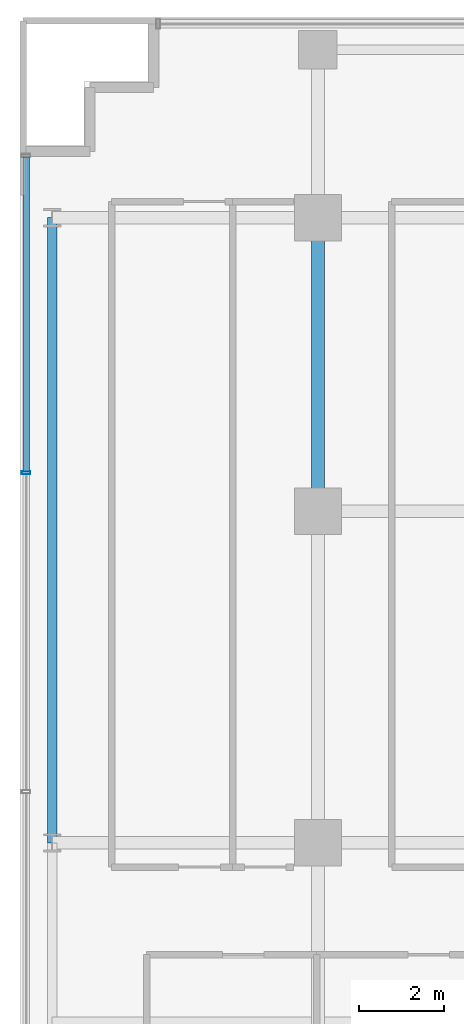
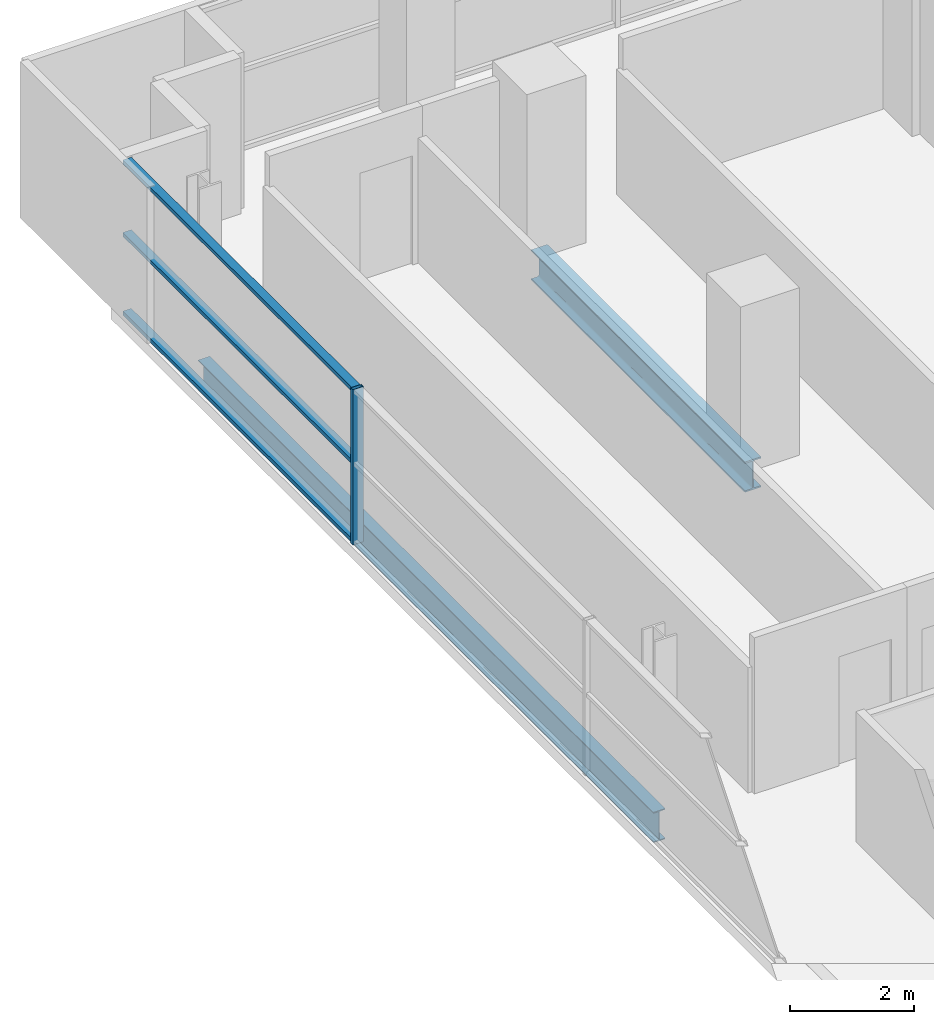
# One storey, part 9 of 26: 4 members, 2 beams, 1 element without a shape of its own.
"""IFC4 building model written with IfcOpenShell, lengths in metres."""

from ifc_helpers import new_model, si_unit, direction, frame, origin, origin_2d, place, context, subcontext, project, spatial, hollow_rectangle, i_section, extrude, source, transform, mapped, material, layer, layer_set, material_profile, profile_set, type_object, element, aggregate, save


model = new_model("IFC4")

# Units and contexts
model_context = context("Model", 3, precision=1e-05, world=origin(), true_north=direction((0.0, 1.0)))
body_context = subcontext(model_context, "Body", "Model", "MODEL_VIEW")
ifc_project = project(units=[si_unit("LENGTHUNIT", "METRE"), si_unit("AREAUNIT", "SQUARE_METRE"), si_unit("VOLUMEUNIT", "CUBIC_METRE"), si_unit("PLANEANGLEUNIT", "RADIAN"), si_unit("MASSUNIT", "GRAM", prefix="KILO")], contexts=[model_context])

# Site, building, storey
site_placement = place(None, origin())
site = spatial("IfcSite", under=ifc_project, at=site_placement, CompositionType="ELEMENT")
building_placement = place(site_placement, origin())
building = spatial("IfcBuilding", under=site, at=building_placement, Name="Zarnakvel Exchange Tower", CompositionType="ELEMENT")
storey_placement = place(building_placement, frame((0.0, 0.0, 63.699951171875)))
storey = spatial("IfcBuildingStorey", under=building, at=storey_placement, Name="L17", CompositionType="ELEMENT", Elevation=63.699951171875)

# Beams
ifc_material_1 = material(Name="Steel S355", Category="steel")
ifc_material_profile_1 = material_profile(ifc_material_1, i_section(OverallWidth=0.300048828125, OverallDepth=0.60009765625, WebThickness=0.015380859375, FlangeThickness=0.030029296875, FilletRadius=0.027099609375, at=origin_2d()))
ifc_profile_set_1 = profile_set([ifc_material_profile_1], Name="Steel S355")
beam_type_1 = type_object("IfcBeamType", Name="G-04", PredefinedType="BEAM", material=ifc_profile_set_1)
beam_1_placement = place(storey_placement, frame((-21.60009765625, 6.60009765625, -0.52490234375), z_axis=(0.0, 1.0, 0.0), x_axis=(-1.0, 0.0, 0.0)))
element("IfcBeam", 1, at=beam_1_placement, inside=storey, type_object=beam_type_1, Name="L17 Tower N-S Frame Beam", PredefinedType="BEAM", context=body_context, shape_type="SweptSolid", body=[
    extrude(i_section(OverallWidth=0.300048828125, OverallDepth=0.60009765625, WebThickness=0.015380859375, FlangeThickness=0.030029296875, FilletRadius=0.027099609375, at=origin_2d()), origin(), (0.0, 0.0, 1.0), 6.89990234375),
])
ifc_material_profile_2 = material_profile(ifc_material_1, i_section(OverallWidth=0.219970703125, OverallDepth=0.60009765625, WebThickness=0.011962890625, FlangeThickness=0.01904296875, FilletRadius=0.02392578125, at=origin_2d()))
ifc_profile_set_2 = profile_set([ifc_material_profile_2], Name="Steel S355")
beam_type_2 = type_object("IfcBeamType", Name="SP-01", PredefinedType="SPANDREL", material=ifc_profile_set_2)
beam_2_placement = place(storey_placement, frame((-27.85009765625, -1.199951171875, -0.52490234375), z_axis=(0.0, 1.0, 0.0), x_axis=(-1.0, 0.0, 0.0)))
element("IfcBeam", 2, at=beam_2_placement, inside=storey, type_object=beam_type_2, Name="L17 Tower N-S Frame Beam", PredefinedType="SPANDREL", context=body_context, shape_type="SweptSolid", body=[
    extrude(i_section(OverallWidth=0.219970703125, OverallDepth=0.60009765625, WebThickness=0.011962890625, FlangeThickness=0.01904296875, FilletRadius=0.02392578125, at=origin_2d()), origin(), (0.0, 0.0, 1.0), 14.699951171875),
])

# Curtain wall, members
ifc_material_2 = material(Name="Architectural Bronze Anodised Aluminium", Category="aluminium")
ifc_layer = layer(ifc_material_2, 0.199951171875)
ifc_layer_set = layer_set([ifc_layer], Name="Architectural Bronze Anodised Aluminium")
curtain_wall_type = type_object("IfcCurtainWallType", Name="CW-04", PredefinedType="NOTDEFINED", material=ifc_layer_set)
curtain_wall_placement = place(storey_placement, origin())
curtain_wall = element("IfcCurtainWall", 3, at=curtain_wall_placement, inside=storey, type_object=curtain_wall_type, Name="L17 Curtain Wall CW-L17-W1 (CW-04)", PredefinedType="NOTDEFINED")
ifc_material_profile_3 = material_profile(ifc_material_2, hollow_rectangle(XDim=0.159912109375, YDim=0.074951171875, WallThickness=0.00390625, at=origin_2d()))
ifc_profile_set_3 = profile_set([ifc_material_profile_3], Name="Architectural Bronze Anodised Aluminium")
member_type_1 = type_object("IfcMemberType", Name="CWT-04", PredefinedType="USERDEFINED", material=ifc_profile_set_3)
shared_shape_1 = source(origin(), body_context, "Body", "SweptSolid", [
    extrude(hollow_rectangle(XDim=0.159912109375, YDim=0.074951171875, WallThickness=0.00390625, at=origin_2d()), origin(), (0.0, 0.0, 1.0), 7.387451171875),
])
member_1_placement = place(storey_placement, frame((-28.4599609375, 7.53759765625, 0.03759765625), z_axis=(0.0, 1.0, 0.0), x_axis=(-1.0, 0.0, 0.0)))
member_1 = element("IfcMember", 4, at=member_1_placement, type_object=member_type_1, Name="CW-04 transom 4.1", ObjectType="TRANSOM", PredefinedType="USERDEFINED", context=body_context, shape_type="MappedRepresentation", body=[
    mapped(shared_shape_1, transform((0.0, 0.0, 0.0), x_axis=(1.0, 0.0, 0.0), y_axis=(0.0, 1.0, 0.0), z_axis=(0.0, 0.0, 1.0), scale=1.0)),
])
member_2_placement = place(storey_placement, frame((-28.4599609375, 7.53759765625, 1.588623046875), z_axis=(0.0, 1.0, 0.0), x_axis=(-1.0, 0.0, 0.0)))
member_2 = element("IfcMember", 5, at=member_2_placement, type_object=member_type_1, Name="CW-04 transom 4.2", ObjectType="TRANSOM", PredefinedType="USERDEFINED", context=body_context, shape_type="MappedRepresentation", body=[
    mapped(shared_shape_1, transform((0.0, 0.0, 0.0), x_axis=(1.0, 0.0, 0.0), y_axis=(0.0, 1.0, 0.0), z_axis=(0.0, 0.0, 1.0), scale=1.0)),
])
member_3_placement = place(storey_placement, frame((-28.4599609375, 7.53759765625, 3.017578125), z_axis=(0.0, 1.0, 0.0), x_axis=(-1.0, 0.0, 0.0)))
member_3 = element("IfcMember", 6, at=member_3_placement, type_object=member_type_1, Name="CW-04 transom 4.3", ObjectType="TRANSOM", PredefinedType="USERDEFINED", context=body_context, shape_type="MappedRepresentation", body=[
    mapped(shared_shape_1, transform((0.0, 0.0, 0.0), x_axis=(1.0, 0.0, 0.0), y_axis=(0.0, 1.0, 0.0), z_axis=(0.0, 0.0, 1.0), scale=1.0)),
])
ifc_material_profile_4 = material_profile(ifc_material_2, hollow_rectangle(XDim=0.199951171875, YDim=0.074951171875, WallThickness=0.0048828125, at=origin_2d()))
ifc_profile_set_4 = profile_set([ifc_material_profile_4], Name="Architectural Bronze Anodised Aluminium")
member_type_2 = type_object("IfcMemberType", Name="CWM-04", PredefinedType="MULLION", material=ifc_profile_set_4)
shared_shape_2 = source(origin(), body_context, "Body", "SweptSolid", [
    extrude(hollow_rectangle(XDim=0.199951171875, YDim=0.074951171875, WallThickness=0.0048828125, at=origin_2d()), origin(), (0.0, 0.0, 1.0), 3.054931640625),
])
member_4_placement = place(storey_placement, frame((-28.4599609375, 7.5, 0.0), z_axis=(0.0, 0.0, 1.0), x_axis=(-1.0, 0.0, 0.0)))
member_4 = element("IfcMember", 7, at=member_4_placement, type_object=member_type_2, Name="CW-04 mullion 4", PredefinedType="MULLION", context=body_context, shape_type="MappedRepresentation", body=[
    mapped(shared_shape_2, transform((0.0, 0.0, 0.0), x_axis=(1.0, 0.0, 0.0), y_axis=(0.0, 1.0, 0.0), z_axis=(0.0, 0.0, 1.0), scale=1.0)),
])
aggregate(curtain_wall, [member_4, member_1, member_2, member_3])

save(model, "model.ifc")
